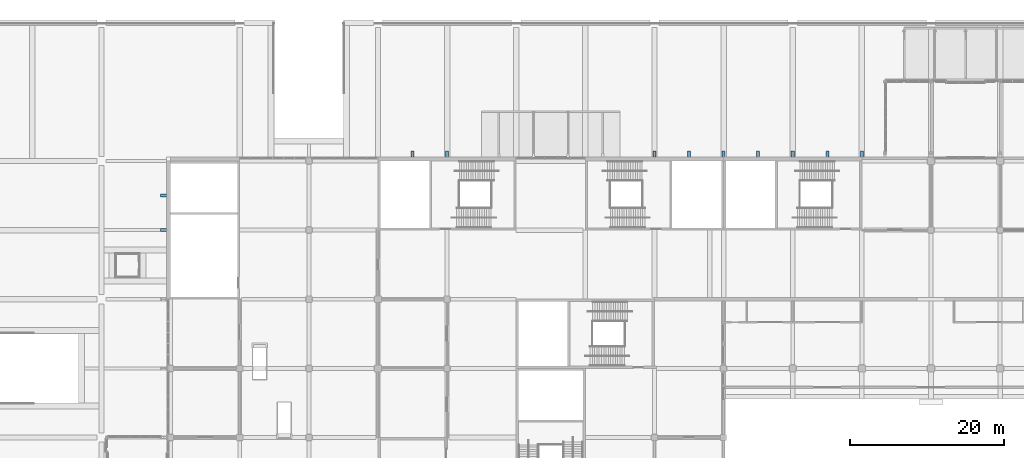
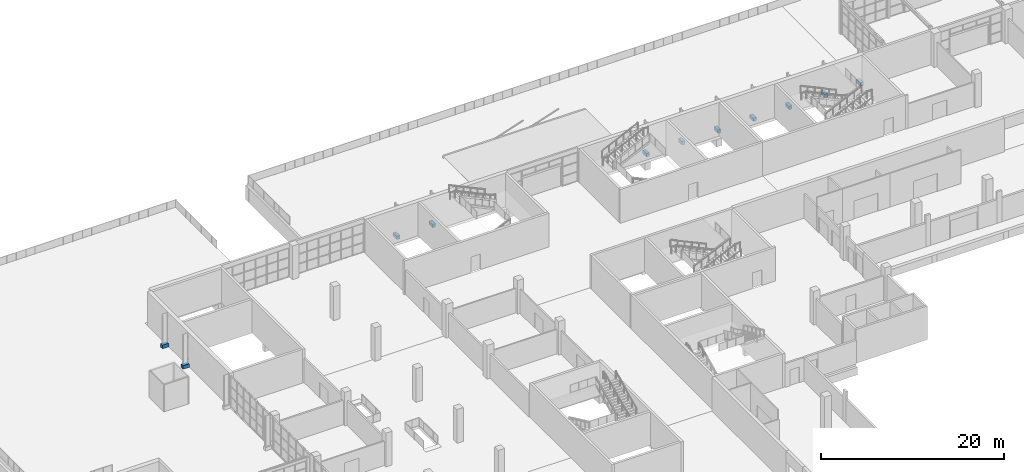
# One storey, part 117 of 168: 11 discrete accessories.
"""IFC4 building model written with IfcOpenShell, lengths in metres."""

from ifc_helpers import new_model, si_unit, direction, frame, origin, origin_2d, place, context, subcontext, project, spatial, rectangle, extrude, material, type_object, element, save


model = new_model("IFC4")

# Units and contexts
model_context = context("Model", 3, precision=1e-05, world=origin(), true_north=direction((0.0, 1.0)))
body_context = subcontext(model_context, "Body", "Model", "MODEL_VIEW")
ifc_project = project(units=[si_unit("LENGTHUNIT", "METRE"), si_unit("AREAUNIT", "SQUARE_METRE"), si_unit("VOLUMEUNIT", "CUBIC_METRE"), si_unit("PLANEANGLEUNIT", "RADIAN"), si_unit("MASSUNIT", "GRAM", prefix="KILO")], contexts=[model_context])

# Site, building, storey
site_placement = place(None, origin())
site = spatial("IfcSite", under=ifc_project, at=site_placement, CompositionType="ELEMENT")
building_placement = place(site_placement, origin())
building = spatial("IfcBuilding", under=site, at=building_placement, Name="Silverbay Arena", CompositionType="ELEMENT")
storey_placement = place(building_placement, frame((0.0, 0.0, 7.0)))
storey = spatial("IfcBuildingStorey", under=building, at=storey_placement, Name="L01", CompositionType="ELEMENT", Elevation=7.0)

# Discrete accessories
ifc_material = material(Name="Steel S355", Category="steel")
discrete_accessory_type = type_object("IfcDiscreteAccessoryType", Name="Steel bracket plate", PredefinedType="BRACKET", material=ifc_material)
for number, where, z_axis, x_axis, name in (
    (1, (58.5, 144.9013671875, 0.0), (0.0, 0.0, 1.0), (1.0, 0.0, 0.0), "Fin base shoe"),
    (2, (63.0, 144.9013671875, 0.0), (0.0, 0.0, 1.0), (1.0, 0.0, 0.0), "Fin base shoe"),
    (3, (90.0, 144.9013671875, 0.0), (0.0, 0.0, 1.0), (1.0, 0.0, 0.0), "Fin base shoe"),
    (4, (94.5, 144.9013671875, 0.0), (0.0, 0.0, 1.0), (1.0, 0.0, 0.0), "Fin base shoe"),
    (5, (99.0, 144.9013671875, 0.0), (0.0, 0.0, 1.0), (1.0, 0.0, 0.0), "Fin base shoe"),
    (6, (103.5, 144.9013671875, 0.0), (0.0, 0.0, 1.0), (1.0, 0.0, 0.0), "Fin base shoe"),
    (7, (108.0, 144.9013671875, 0.0), (0.0, 0.0, 1.0), (1.0, 0.0, 0.0), "Fin base shoe"),
    (8, (112.5, 144.9013671875, 0.0), (0.0, 0.0, 1.0), (1.0, 0.0, 0.0), "Fin base shoe"),
    (9, (117.0, 144.9013671875, 0.0), (0.0, 0.0, 1.0), (1.0, 0.0, 0.0), "Fin base shoe"),
):
    element("IfcDiscreteAccessory", number, at=place(storey_placement, frame(where, z_axis=z_axis, x_axis=x_axis)), inside=storey, type_object=discrete_accessory_type, Name=name, PredefinedType="BRACKET", context=body_context, shape_type="SweptSolid", body=[
        extrude(rectangle(XDim=0.39990234375, YDim=0.802490234375, at=origin_2d()), origin(), (0.0, 0.0, 1.0), 0.449951171875),
    ])
for number, where, z_axis, x_axis, name in (
    (10, (26.0986328125, 135.0, 0.0), (0.0, 0.0, 1.0), (1.0, 0.0, 0.0), "Fin base shoe"),
    (11, (26.0986328125, 139.5, 0.0), (0.0, 0.0, 1.0), (1.0, 0.0, 0.0), "Fin base shoe"),
):
    element("IfcDiscreteAccessory", number, at=place(storey_placement, frame(where, z_axis=z_axis, x_axis=x_axis)), inside=storey, type_object=discrete_accessory_type, Name=name, PredefinedType="BRACKET", context=body_context, shape_type="SweptSolid", body=[
        extrude(rectangle(XDim=0.802490234375, YDim=0.39990234375, at=origin_2d()), origin(), (0.0, 0.0, 1.0), 0.449951171875),
    ])

save(model, "model.ifc")
